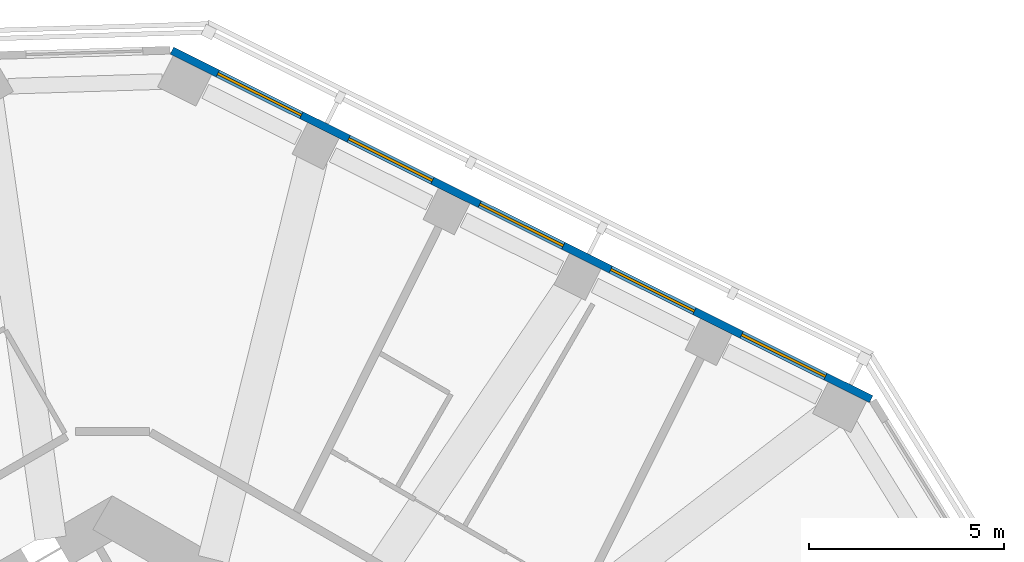
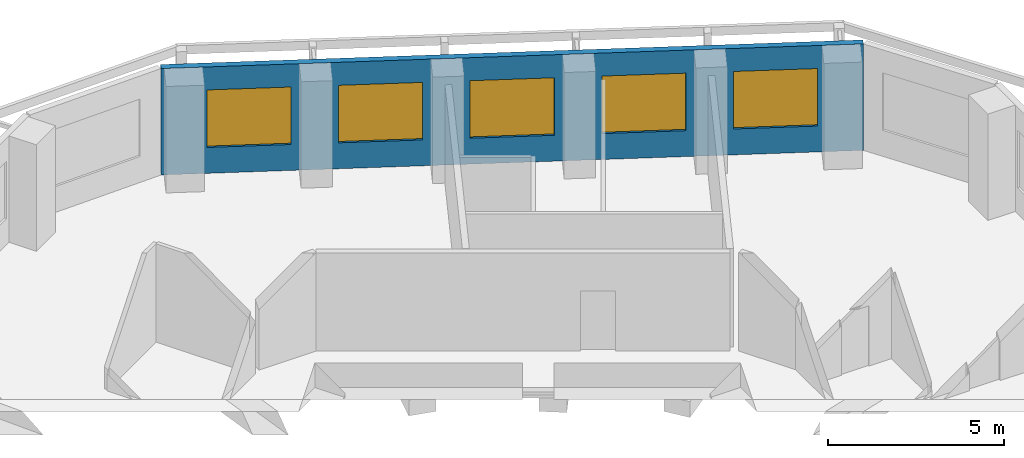
# One storey, part 8 of 11: 5 windows, 1 wall, 5 openings.
"""IFC4 building model written with IfcOpenShell, lengths in metres."""

from ifc_helpers import new_model, si_unit, direction, frame, frame_2d, origin, place, context, subcontext, project, spatial, rectangle, extrude, material, layer, layer_set, type_object, element, fill, save


model = new_model("IFC4")

# Units and contexts
model_context = context("Model", 3, precision=1e-05, world=origin(), true_north=direction((0.0, 1.0)))
body_context = subcontext(model_context, "Body", "Model", "MODEL_VIEW")
ifc_project = project(units=[si_unit("LENGTHUNIT", "METRE"), si_unit("AREAUNIT", "SQUARE_METRE"), si_unit("VOLUMEUNIT", "CUBIC_METRE"), si_unit("PLANEANGLEUNIT", "RADIAN"), si_unit("MASSUNIT", "GRAM", prefix="KILO")], contexts=[model_context])

# Site, building, storey
site_placement = place(None, origin())
site = spatial("IfcSite", under=ifc_project, at=site_placement, CompositionType="ELEMENT")
building_placement = place(site_placement, origin())
building = spatial("IfcBuilding", under=site, at=building_placement, Name="Vanh Sen Convention Tower", CompositionType="ELEMENT")
storey_placement = place(building_placement, frame((0.0, 0.0, 179.89990234375)))
storey = spatial("IfcBuildingStorey", under=building, at=storey_placement, Name="L44", CompositionType="ELEMENT", Elevation=179.89990234375)

# Wall, openings, windows
ifc_material_1 = material(Name="Insulated lightweight infill wall")
ifc_layer = layer(ifc_material_1, 0.199951171875)
ifc_layer_set = layer_set([ifc_layer], Name="Insulated lightweight infill wall")
wall_type = type_object("IfcWallType", Name="External wall 200", PredefinedType="STANDARD", material=ifc_layer_set)
wall_placement = place(storey_placement, frame((19.46435546875, 14.598876953125, 0.0), z_axis=(0.0, 0.0, 1.0), x_axis=(-0.894935755043, 0.446195018289, 0.0)))
wall = element("IfcWall", 1, at=wall_placement, inside=storey, type_object=wall_type, Name="External wall NE L44", PredefinedType="STANDARD", context=body_context, shape_type="SweptSolid", body=[
    extrude(rectangle(XDim=20.043701171875, YDim=0.199951171875, at=frame_2d((10.02197265625, 0.0))), origin(), (0.0, 0.0, 1.0), 3.7001953125),
])
opening_1_placement = place(wall_placement, frame((1.31298828125, 0.0, 0.89990234375)))
opening_1 = element("IfcOpeningElement", 2, at=opening_1_placement, cuts=wall, Name="Opening WO1-NE1", PredefinedType="OPENING", context=body_context, shape_type="SweptSolid", body=[
    extrude(rectangle(XDim=2.39990234375, YDim=2.0, at=frame_2d((1.199951171875, 1.0))), frame((0.0, 0.10986328125, 0.0), z_axis=(0.0, -1.0, 0.0), x_axis=(1.0, 0.0, 0.0)), (0.0, 0.0, 1.0), 0.219970703125),
])
opening_2_placement = place(wall_placement, frame((5.06689453125, 0.0, 0.89990234375)))
opening_2 = element("IfcOpeningElement", 3, at=opening_2_placement, cuts=wall, Name="Opening WO1-NE2", PredefinedType="OPENING", context=body_context, shape_type="SweptSolid", body=[
    extrude(rectangle(XDim=2.39990234375, YDim=2.0, at=frame_2d((1.199951171875, 1.0))), frame((0.0, 0.10986328125, 0.0), z_axis=(0.0, -1.0, 0.0), x_axis=(1.0, 0.0, 0.0)), (0.0, 0.0, 1.0), 0.219970703125),
])
opening_3_placement = place(wall_placement, frame((8.821044921875, 0.0, 0.89990234375)))
opening_3 = element("IfcOpeningElement", 4, at=opening_3_placement, cuts=wall, Name="Opening WO1-NE3", PredefinedType="OPENING", context=body_context, shape_type="SweptSolid", body=[
    extrude(rectangle(XDim=2.39990234375, YDim=2.0, at=frame_2d((1.199951171875, 1.0))), frame((0.0, 0.10986328125, 0.0), z_axis=(0.0, -1.0, 0.0), x_axis=(1.0, 0.0, 0.0)), (0.0, 0.0, 1.0), 0.219970703125),
])
opening_4_placement = place(wall_placement, frame((12.5751953125, 0.0, 0.89990234375)))
opening_4 = element("IfcOpeningElement", 5, at=opening_4_placement, cuts=wall, Name="Opening WO1-NE4", PredefinedType="OPENING", context=body_context, shape_type="SweptSolid", body=[
    extrude(rectangle(XDim=2.39990234375, YDim=2.0, at=frame_2d((1.199951171875, 1.0))), frame((0.0, 0.10986328125, 0.0), z_axis=(0.0, -1.0, 0.0), x_axis=(1.0, 0.0, 0.0)), (0.0, 0.0, 1.0), 0.219970703125),
])
opening_5_placement = place(wall_placement, frame((16.329345703125, 0.0, 0.89990234375)))
opening_5 = element("IfcOpeningElement", 6, at=opening_5_placement, cuts=wall, Name="Opening WO1-NE5", PredefinedType="OPENING", context=body_context, shape_type="SweptSolid", body=[
    extrude(rectangle(XDim=2.39990234375, YDim=2.0, at=frame_2d((1.199951171875, 1.0))), frame((0.0, 0.10986328125, 0.0), z_axis=(0.0, -1.0, 0.0), x_axis=(1.0, 0.0, 0.0)), (0.0, 0.0, 1.0), 0.219970703125),
])
ifc_material_2 = material(Name="Aluminium frame with clear low-emissivity glass", Category="aluminium")
window_type = type_object("IfcWindowType", Name="Office window 2400 x 2000", PartitioningType="SINGLE_PANEL", PredefinedType="WINDOW", material=ifc_material_2)
window_1_placement = place(opening_1_placement, origin())
window_1 = element("IfcWindow", 7, at=window_1_placement, inside=storey, type_object=window_type, Name="Window WO1-NE1", OverallHeight=2.0, OverallWidth=2.39990234375, PartitioningType="SINGLE_PANEL", PredefinedType="WINDOW", context=body_context, shape_type="SweptSolid", body=[
    extrude(rectangle(XDim=2.39990234375, YDim=2.0, at=frame_2d((1.199951171875, 1.0))), frame((0.0, 0.030029296875, 0.0), z_axis=(0.0, -1.0, 0.0), x_axis=(1.0, 0.0, 0.0)), (0.0, 0.0, 1.0), 0.06005859375),
])
fill(opening_1, window_1)
window_2_placement = place(opening_2_placement, origin())
window_2 = element("IfcWindow", 8, at=window_2_placement, inside=storey, type_object=window_type, Name="Window WO1-NE2", OverallHeight=2.0, OverallWidth=2.39990234375, PartitioningType="SINGLE_PANEL", PredefinedType="WINDOW", context=body_context, shape_type="SweptSolid", body=[
    extrude(rectangle(XDim=2.39990234375, YDim=2.0, at=frame_2d((1.199951171875, 1.0))), frame((0.0, 0.030029296875, 0.0), z_axis=(0.0, -1.0, 0.0), x_axis=(1.0, 0.0, 0.0)), (0.0, 0.0, 1.0), 0.06005859375),
])
fill(opening_2, window_2)
window_3_placement = place(opening_3_placement, origin())
window_3 = element("IfcWindow", 9, at=window_3_placement, inside=storey, type_object=window_type, Name="Window WO1-NE3", OverallHeight=2.0, OverallWidth=2.39990234375, PartitioningType="SINGLE_PANEL", PredefinedType="WINDOW", context=body_context, shape_type="SweptSolid", body=[
    extrude(rectangle(XDim=2.39990234375, YDim=2.0, at=frame_2d((1.199951171875, 1.0))), frame((0.0, 0.030029296875, 0.0), z_axis=(0.0, -1.0, 0.0), x_axis=(1.0, 0.0, 0.0)), (0.0, 0.0, 1.0), 0.06005859375),
])
fill(opening_3, window_3)
window_4_placement = place(opening_4_placement, origin())
window_4 = element("IfcWindow", 10, at=window_4_placement, inside=storey, type_object=window_type, Name="Window WO1-NE4", OverallHeight=2.0, OverallWidth=2.39990234375, PartitioningType="SINGLE_PANEL", PredefinedType="WINDOW", context=body_context, shape_type="SweptSolid", body=[
    extrude(rectangle(XDim=2.39990234375, YDim=2.0, at=frame_2d((1.199951171875, 1.0))), frame((0.0, 0.030029296875, 0.0), z_axis=(0.0, -1.0, 0.0), x_axis=(1.0, 0.0, 0.0)), (0.0, 0.0, 1.0), 0.06005859375),
])
fill(opening_4, window_4)
window_5_placement = place(opening_5_placement, origin())
window_5 = element("IfcWindow", 11, at=window_5_placement, inside=storey, type_object=window_type, Name="Window WO1-NE5", OverallHeight=2.0, OverallWidth=2.39990234375, PartitioningType="SINGLE_PANEL", PredefinedType="WINDOW", context=body_context, shape_type="SweptSolid", body=[
    extrude(rectangle(XDim=2.39990234375, YDim=2.0, at=frame_2d((1.199951171875, 1.0))), frame((0.0, 0.030029296875, 0.0), z_axis=(0.0, -1.0, 0.0), x_axis=(1.0, 0.0, 0.0)), (0.0, 0.0, 1.0), 0.06005859375),
])
fill(opening_5, window_5)

save(model, "model.ifc")
